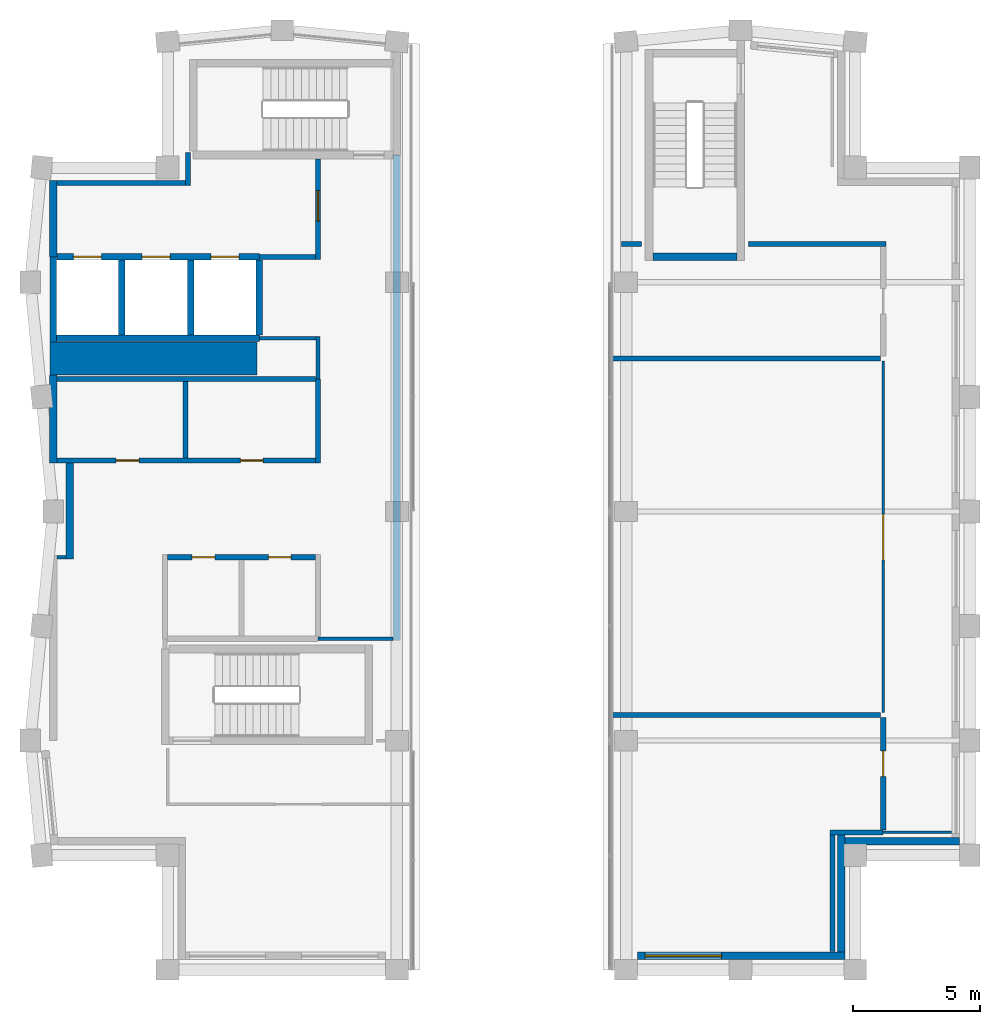
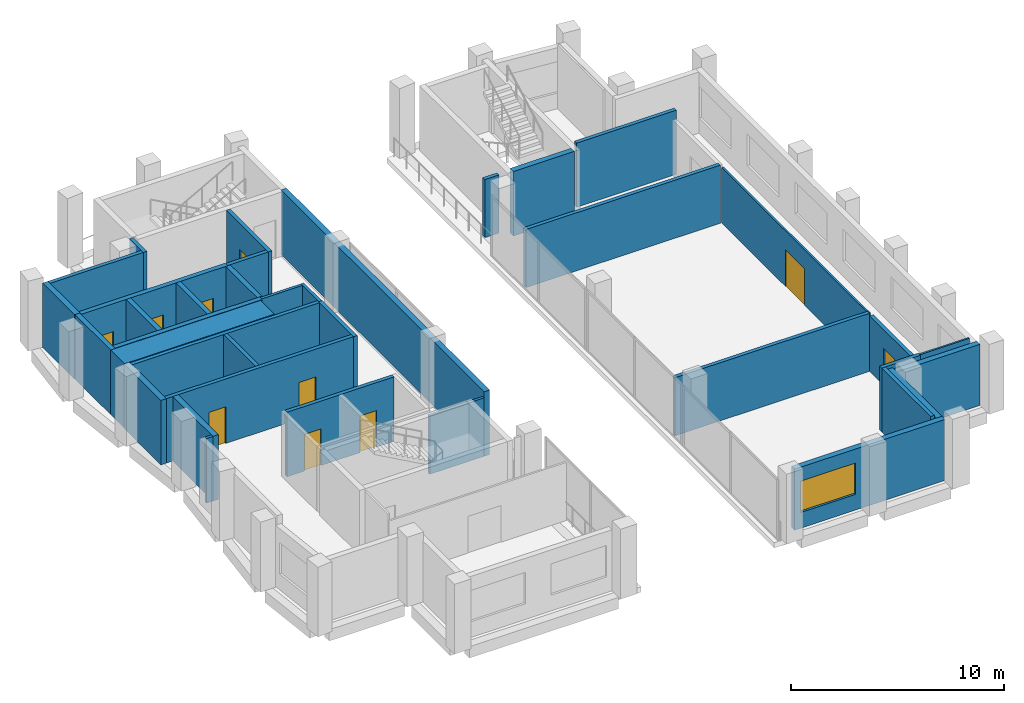
# One storey, part 7 of 9: 37 walls, 10 doors, 1 window, 11 openings.
"""IFC4 building model written with IfcOpenShell, lengths in metres."""

from ifc_helpers import new_model, si_unit, direction, frame, frame_2d, origin, place, context, subcontext, project, spatial, rectangle, extrude, material, layer, layer_set, type_object, element, fill, save


model = new_model("IFC4")

# Units and contexts
model_context = context("Model", 3, precision=1e-05, world=origin(), true_north=direction((0.0, 1.0)))
body_context = subcontext(model_context, "Body", "Model", "MODEL_VIEW")
ifc_project = project(units=[si_unit("LENGTHUNIT", "METRE"), si_unit("AREAUNIT", "SQUARE_METRE"), si_unit("VOLUMEUNIT", "CUBIC_METRE"), si_unit("PLANEANGLEUNIT", "RADIAN"), si_unit("MASSUNIT", "GRAM", prefix="KILO")], contexts=[model_context])

# Site, building, storey
site_placement = place(None, origin())
site = spatial("IfcSite", under=ifc_project, at=site_placement, CompositionType="ELEMENT")
building_placement = place(site_placement, origin())
building = spatial("IfcBuilding", under=site, at=building_placement, Name="Brondeck Convention Tower", CompositionType="ELEMENT")
storey_placement = place(building_placement, frame((0.0, 0.0, 286.800048828125)))
storey = spatial("IfcBuildingStorey", under=building, at=storey_placement, Name="L71", CompositionType="ELEMENT", Elevation=286.800048828125)

# Walls
ifc_material_1 = material(Name="Concrete C50/60", Category="concrete")
ifc_layer_1 = layer(ifc_material_1, 0.300048828125)
ifc_layer_set_1 = layer_set([ifc_layer_1], Name="Core outer wall 300 Concrete C50/60")
wall_type_1 = type_object("IfcWallType", Name="Core outer wall 300 Concrete C50/60", PredefinedType="SHEAR", material=ifc_layer_set_1)
wall_1_placement = place(storey_placement, frame((0.0, 46.89990234375, 0.0), z_axis=(0.0, 0.0, 1.0), x_axis=(0.0, 1.0, 0.0)))
element("IfcWall", 1, at=wall_1_placement, inside=storey, type_object=wall_type_1, Name="L71 core wall", PredefinedType="SHEAR", context=body_context, shape_type="SweptSolid", body=[
    extrude(rectangle(XDim=3.4501953125, YDim=0.300048828125, at=frame_2d((1.72509765625, 0.0))), origin(), (0.0, 0.0, 1.0), 3.699951171875),
])
wall_2_placement = place(storey_placement, frame((0.0, 55.0, 0.0), z_axis=(0.0, 0.0, 1.0), x_axis=(0.0, 1.0, 0.0)))
element("IfcWall", 2, at=wall_2_placement, inside=storey, type_object=wall_type_1, Name="L71 core wall", PredefinedType="SHEAR", context=body_context, shape_type="SweptSolid", body=[
    extrude(rectangle(XDim=3.0, YDim=0.300048828125, at=frame_2d((1.5, 0.0))), origin(), (0.0, 0.0, 1.0), 3.699951171875),
])
wall_3_placement = place(storey_placement, frame((0.64990234375, 43.125, 0.0), z_axis=(0.0, 0.0, 1.0), x_axis=(0.0, 1.0, 0.0)))
element("IfcWall", 3, at=wall_3_placement, inside=storey, type_object=wall_type_1, Name="L71 core wall", PredefinedType="SHEAR", context=body_context, shape_type="SweptSolid", body=[
    extrude(rectangle(XDim=3.77490234375, YDim=0.300048828125, at=frame_2d((1.887451171875, 0.0))), origin(), (0.0, 0.0, 1.0), 3.699951171875),
])
wall_4_placement = place(storey_placement, frame((13.5, 39.925048828125, 0.0), z_axis=(0.0, 0.0, 1.0), x_axis=(0.0, 1.0, 0.0)))
element("IfcWall", 4, at=wall_4_placement, inside=storey, type_object=wall_type_1, Name="L71 core wall", PredefinedType="SHEAR", context=body_context, shape_type="SweptSolid", body=[
    extrude(rectangle(XDim=19.074951171875, YDim=0.300048828125, at=frame_2d((9.53759765625, 0.0))), origin(), (0.0, 0.0, 1.0), 3.699951171875),
])
ifc_material_2 = material(Name="Fire-rated gypsum board partition")
ifc_layer_2 = layer(ifc_material_2, 0.14990234375)
ifc_layer_set_2 = layer_set([ifc_layer_2], Name="Core partition 150 EI 60")
wall_type_2 = type_object("IfcWallType", Name="Core partition 150 EI 60", PredefinedType="PARTITIONING", material=ifc_layer_set_2)
wall_5_placement = place(storey_placement, frame((10.39990234375, 40.0, 0.0), z_axis=(0.0, 0.0, 1.0), x_axis=(1.0, 0.0, 0.0)))
element("IfcWall", 5, at=wall_5_placement, inside=storey, type_object=wall_type_2, Name="L71 core wall", PredefinedType="PARTITIONING", context=body_context, shape_type="SweptSolid", body=[
    extrude(rectangle(XDim=2.9501953125, YDim=0.14990234375, at=frame_2d((1.47509765625, 0.0))), origin(), (0.0, 0.0, 1.0), 3.349853515625),
])
wall_6_placement = place(storey_placement, frame((0.14990234375, 43.199951171875, 0.0), z_axis=(0.0, 0.0, 1.0), x_axis=(1.0, 0.0, 0.0)))
element("IfcWall", 6, at=wall_6_placement, inside=storey, type_object=wall_type_2, Name="L71 core wall", PredefinedType="PARTITIONING", context=body_context, shape_type="SweptSolid", body=[
    extrude(rectangle(XDim=0.35009765625, YDim=0.14990234375, at=frame_2d((0.175048828125, 0.0))), origin(), (0.0, 0.0, 1.0), 3.699951171875),
])
wall_7_placement = place(storey_placement, frame((8.10009765625, 51.800048828125, 0.0), z_axis=(0.0, 0.0, 1.0), x_axis=(1.0, 0.0, 0.0)))
element("IfcWall", 7, at=wall_7_placement, inside=storey, type_object=wall_type_2, Name="L71 core wall", PredefinedType="PARTITIONING", context=body_context, shape_type="SweptSolid", body=[
    extrude(rectangle(XDim=2.224853515625, YDim=0.14990234375, at=frame_2d((1.1123046875, 0.0))), origin(), (0.0, 0.0, 1.0), 3.699951171875),
])
wall_8_placement = place(storey_placement, frame((10.39990234375, 50.199951171875, 0.0), z_axis=(0.0, 0.0, 1.0), x_axis=(0.0, 1.0, 0.0)))
element("IfcWall", 8, at=wall_8_placement, inside=storey, type_object=wall_type_2, Name="L71 core wall", PredefinedType="PARTITIONING", context=body_context, shape_type="SweptSolid", body=[
    extrude(rectangle(XDim=1.675048828125, YDim=0.14990234375, at=frame_2d((0.83740234375, 0.0))), origin(), (0.0, 0.0, 1.0), 3.699951171875),
])
ifc_layer_3 = layer(ifc_material_1, 1.300048828125)
ifc_layer_set_3 = layer_set([ifc_layer_3], Name="Core shear wall 1300 Concrete C50/60")
wall_type_3 = type_object("IfcWallType", Name="Core shear wall 1300 Concrete C50/60", PredefinedType="SHEAR", material=ifc_layer_set_3)
wall_9_placement = place(storey_placement, frame((-0.125, 51.0, 0.0), z_axis=(0.0, 0.0, 1.0), x_axis=(1.0, 0.0, 0.0)))
element("IfcWall", 9, at=wall_9_placement, inside=storey, type_object=wall_type_3, Name="L71 core wall", PredefinedType="SHEAR", context=body_context, shape_type="SweptSolid", body=[
    extrude(rectangle(XDim=8.125, YDim=1.300048828125, at=frame_2d((4.0625, 0.0))), origin(), (0.0, 0.0, 1.0), 3.699951171875),
])

# Wall, opening, window
ifc_material_3 = material(Name="Precast concrete C50/60 bronze finish", Category="concrete")
ifc_layer_4 = layer(ifc_material_3, 0.070068359375, Name="Bronze precast facing")
ifc_material_4 = material(Name="Mineral wool")
ifc_layer_5 = layer(ifc_material_4, 0.159912109375, Name="Insulation")
ifc_material_5 = material(Name="Concrete C35/45", Category="concrete")
ifc_layer_6 = layer(ifc_material_5, 0.070068359375, Name="Backing")
ifc_layer_set_4 = layer_set([ifc_layer_4, ifc_layer_5, ifc_layer_6], Name="External infill wall, precast concrete C50/60 bronze facing")
wall_type_4 = type_object("IfcWallType", Name="External infill wall, precast concrete C50/60 bronze facing", PredefinedType="SOLIDWALL", material=ifc_layer_set_4)
wall_10_placement = place(storey_placement, frame((31.10009765625, 27.550048828125, 0.0), z_axis=(0.0, 0.0, 1.0), x_axis=(-1.0, 0.0, 0.0)))
wall_10 = element("IfcWall", 10, at=wall_10_placement, inside=storey, type_object=wall_type_4, Name="ENV-EW-L71-K2-K-S-00", PredefinedType="SOLIDWALL", context=body_context, shape_type="SweptSolid", body=[
    extrude(rectangle(XDim=8.150146484375, YDim=0.300048828125, at=frame_2d((4.0751953125, 0.0))), origin(), (0.0, 0.0, 1.0), 3.5),
])
opening_1_placement = place(wall_10_placement, frame((4.85009765625, 0.0, 0.89990234375)))
opening_1 = element("IfcOpeningElement", 11, at=opening_1_placement, cuts=wall_10, Name="Opening W8", PredefinedType="OPENING", context=body_context, shape_type="SweptSolid", body=[
    extrude(rectangle(XDim=3.0, YDim=1.800048828125, at=frame_2d((1.5, 0.89990234375))), frame((0.0, 0.159912109375, 0.0), z_axis=(0.0, -1.0, 0.0), x_axis=(1.0, 0.0, 0.0)), (0.0, 0.0, 1.0), 0.320068359375),
])
ifc_material_6 = material(Name="Bronze tinted double glazing", Category="glass")
window_type = type_object("IfcWindowType", Name="Crown plant storey window, bronze tinted", PartitioningType="SINGLE_PANEL", PredefinedType="WINDOW", material=ifc_material_6)
window_placement = place(opening_1_placement, origin())
window = element("IfcWindow", 12, at=window_placement, inside=storey, type_object=window_type, Name="ENV-WN-L71-K2-K-S-00", OverallHeight=1.800048828125, OverallWidth=3.0, PartitioningType="SINGLE_PANEL", PredefinedType="WINDOW", context=body_context, shape_type="SweptSolid", body=[
    extrude(rectangle(XDim=3.0, YDim=1.800048828125, at=frame_2d((1.5, 0.89990234375))), frame((0.0, 0.030029296875, 0.0), z_axis=(0.0, -1.0, 0.0), x_axis=(1.0, 0.0, 0.0)), (0.0, 0.0, 1.0), 0.06005859375),
])
fill(opening_1, window)

# Walls
wall_11_placement = place(storey_placement, frame((30.949951171875, 32.300048828125, 0.0), z_axis=(0.0, 0.0, 1.0), x_axis=(0.0, -1.0, 0.0)))
element("IfcWall", 13, at=wall_11_placement, inside=storey, type_object=wall_type_4, Name="ENV-EW-L71-K2-NC-KSE-01", PredefinedType="SOLIDWALL", context=body_context, shape_type="SweptSolid", body=[
    extrude(rectangle(XDim=4.60009765625, YDim=0.300048828125, at=frame_2d((2.300048828125, 0.0))), origin(), (0.0, 0.0, 1.0), 3.5),
])
wall_12_placement = place(storey_placement, frame((35.60009765625, 32.050048828125, 0.0), z_axis=(0.0, 0.0, 1.0), x_axis=(-1.0, 0.0, 0.0)))
element("IfcWall", 14, at=wall_12_placement, inside=storey, type_object=wall_type_4, Name="ENV-EW-L71-K2-NC-KSE-02", PredefinedType="SOLIDWALL", context=body_context, shape_type="SweptSolid", body=[
    extrude(rectangle(XDim=4.5, YDim=0.300048828125, at=frame_2d((2.25, 0.0))), origin(), (0.0, 0.0, 1.0), 3.5),
])
ifc_layer_7 = layer(ifc_material_2, 0.199951171875)
ifc_layer_set_5 = layer_set([ifc_layer_7], Name="Firefighting lobby wall 200 EI 120")
wall_type_5 = type_object("IfcWallType", Name="Firefighting lobby wall 200 EI 120", PredefinedType="PARTITIONING", material=ifc_layer_set_5)
wall_13_placement = place(storey_placement, frame((8.10009765625, 55.0, 0.0), z_axis=(0.0, 0.0, 1.0), x_axis=(1.0, 0.0, 0.0)))
element("IfcWall", 15, at=wall_13_placement, inside=storey, type_object=wall_type_5, Name="L71 core wall", PredefinedType="PARTITIONING", context=body_context, shape_type="SweptSolid", body=[
    extrude(rectangle(XDim=2.199951171875, YDim=0.199951171875, at=frame_2d((1.10009765625, 0.0))), origin(), (0.0, 0.0, 1.0), 3.699951171875),
])
wall_14_placement = place(storey_placement, frame((0.14990234375, 57.89990234375, 0.0), z_axis=(0.0, 0.0, 1.0), x_axis=(1.0, 0.0, 0.0)))
element("IfcWall", 16, at=wall_14_placement, inside=storey, type_object=wall_type_5, Name="L71 core wall", PredefinedType="PARTITIONING", context=body_context, shape_type="SweptSolid", body=[
    extrude(rectangle(XDim=5.050048828125, YDim=0.199951171875, at=frame_2d((2.52490234375, 0.0))), origin(), (0.0, 0.0, 1.0), 3.699951171875),
])
wall_15_placement = place(storey_placement, frame((5.300048828125, 57.800048828125, 0.0), z_axis=(0.0, 0.0, 1.0), x_axis=(0.0, 1.0, 0.0)))
element("IfcWall", 17, at=wall_15_placement, inside=storey, type_object=wall_type_5, Name="L71 core wall", PredefinedType="PARTITIONING", context=body_context, shape_type="SweptSolid", body=[
    extrude(rectangle(XDim=1.300048828125, YDim=0.199951171875, at=frame_2d((0.64990234375, 0.0))), origin(), (0.0, 0.0, 1.0), 3.699951171875),
])

# Wall, opening, door
wall_16_placement = place(storey_placement, frame((10.39990234375, 54.89990234375, 0.0), z_axis=(0.0, 0.0, 1.0), x_axis=(0.0, 1.0, 0.0)))
wall_16 = element("IfcWall", 18, at=wall_16_placement, inside=storey, type_object=wall_type_5, Name="L71 core wall", PredefinedType="PARTITIONING", context=body_context, shape_type="SweptSolid", body=[
    extrude(rectangle(XDim=3.9501953125, YDim=0.199951171875, at=frame_2d((1.97509765625, 0.0))), origin(), (0.0, 0.0, 1.0), 3.699951171875),
])
opening_2_placement = place(wall_16_placement, frame((1.5, 0.0, 0.0)))
opening_2 = element("IfcOpeningElement", 19, at=opening_2_placement, cuts=wall_16, Name="Opening C41-01", PredefinedType="OPENING", context=body_context, shape_type="SweptSolid", body=[
    extrude(rectangle(XDim=1.199951171875, YDim=2.199951171875, at=frame_2d((0.60009765625, 1.10009765625))), frame((0.0, 0.10986328125, 0.0), z_axis=(0.0, -1.0, 0.0), x_axis=(1.0, 0.0, 0.0)), (0.0, 0.0, 1.0), 0.219970703125),
])
ifc_material_7 = material(Name="Steel fire door", Category="steel")
door_type_1 = type_object("IfcDoorType", Name="Firefighting lobby door 1200x2200 EI 120", OperationType="NOTDEFINED", PredefinedType="DOOR", material=ifc_material_7)
door_1_placement = place(opening_2_placement, origin())
door_1 = element("IfcDoor", 20, at=door_1_placement, inside=storey, type_object=door_type_1, Name="L71 Firefighting lobby door FFL-1", OperationType="SINGLE_SWING_RIGHT", OverallHeight=2.199951171875, OverallWidth=1.199951171875, PredefinedType="DOOR", context=body_context, shape_type="SweptSolid", body=[
    extrude(rectangle(XDim=1.199951171875, YDim=2.199951171875, at=frame_2d((0.60009765625, 1.10009765625))), frame((0.0, 0.02490234375, 0.0), z_axis=(0.0, -1.0, 0.0), x_axis=(1.0, 0.0, 0.0)), (0.0, 0.0, 1.0), 0.050048828125),
])
fill(opening_2, door_1)

# Wall
ifc_layer_8 = layer(ifc_material_1, 0.25)
ifc_layer_set_6 = layer_set([ifc_layer_8], Name="Lift shaft wall 250 Concrete C50/60")
wall_type_6 = type_object("IfcWallType", Name="Lift shaft wall 250 Concrete C50/60", PredefinedType="SHEAR", material=ifc_layer_set_6)
wall_17_placement = place(storey_placement, frame((0.125, 51.800048828125, 0.0), z_axis=(0.0, 0.0, 1.0), x_axis=(1.0, 0.0, 0.0)))
element("IfcWall", 21, at=wall_17_placement, inside=storey, type_object=wall_type_6, Name="L71 core wall", PredefinedType="SHEAR", context=body_context, shape_type="SweptSolid", body=[
    extrude(rectangle(XDim=7.97509765625, YDim=0.25, at=frame_2d((3.987548828125, 0.0))), origin(), (0.0, 0.0, 1.0), 3.699951171875),
])

# Wall, openings, doors
wall_18_placement = place(storey_placement, frame((0.14990234375, 55.0, 0.0), z_axis=(0.0, 0.0, 1.0), x_axis=(1.0, 0.0, 0.0)))
wall_18 = element("IfcWall", 22, at=wall_18_placement, inside=storey, type_object=wall_type_6, Name="L71 core wall", PredefinedType="SHEAR", context=body_context, shape_type="SweptSolid", body=[
    extrude(rectangle(XDim=7.9501953125, YDim=0.25, at=frame_2d((3.97509765625, 0.0))), origin(), (0.0, 0.0, 1.0), 3.699951171875),
])
opening_3_placement = place(wall_18_placement, frame((0.64990234375, 0.0, 0.0)))
opening_3 = element("IfcOpeningElement", 23, at=opening_3_placement, cuts=wall_18, Name="Opening C41-09", PredefinedType="OPENING", context=body_context, shape_type="SweptSolid", body=[
    extrude(rectangle(XDim=1.10009765625, YDim=2.10009765625, at=frame_2d((0.550048828125, 1.050048828125))), frame((0.0, 0.135009765625, 0.0), z_axis=(0.0, -1.0, 0.0), x_axis=(1.0, 0.0, 0.0)), (0.0, 0.0, 1.0), 0.27001953125),
])
opening_4_placement = place(wall_18_placement, frame((3.35009765625, 0.0, 0.0)))
opening_4 = element("IfcOpeningElement", 24, at=opening_4_placement, cuts=wall_18, Name="Opening C41-10", PredefinedType="OPENING", context=body_context, shape_type="SweptSolid", body=[
    extrude(rectangle(XDim=1.10009765625, YDim=2.10009765625, at=frame_2d((0.550048828125, 1.050048828125))), frame((0.0, 0.135009765625, 0.0), z_axis=(0.0, -1.0, 0.0), x_axis=(1.0, 0.0, 0.0)), (0.0, 0.0, 1.0), 0.27001953125),
])
opening_5_placement = place(wall_18_placement, frame((6.050048828125, 0.0, 0.0)))
opening_5 = element("IfcOpeningElement", 25, at=opening_5_placement, cuts=wall_18, Name="Opening C41-11", PredefinedType="OPENING", context=body_context, shape_type="SweptSolid", body=[
    extrude(rectangle(XDim=1.10009765625, YDim=2.10009765625, at=frame_2d((0.550048828125, 1.050048828125))), frame((0.0, 0.135009765625, 0.0), z_axis=(0.0, -1.0, 0.0), x_axis=(1.0, 0.0, 0.0)), (0.0, 0.0, 1.0), 0.27001953125),
])
ifc_material_8 = material(Name="Stainless steel lift door", Category="steel")
door_type_2 = type_object("IfcDoorType", Name="Lift landing door 1100x2100 EI 180", OperationType="DOUBLE_DOOR_SLIDING", PredefinedType="DOOR", material=ifc_material_8)
door_2_placement = place(opening_3_placement, origin())
door_2 = element("IfcDoor", 26, at=door_2_placement, inside=storey, type_object=door_type_2, Name="L71 Lift landing door FF1", OperationType="DOUBLE_DOOR_SLIDING", OverallHeight=2.10009765625, OverallWidth=1.10009765625, PredefinedType="DOOR", context=body_context, shape_type="SweptSolid", body=[
    extrude(rectangle(XDim=1.10009765625, YDim=2.10009765625, at=frame_2d((0.550048828125, 1.050048828125))), frame((0.0, 0.02490234375, 0.0), z_axis=(0.0, -1.0, 0.0), x_axis=(1.0, 0.0, 0.0)), (0.0, 0.0, 1.0), 0.050048828125),
])
fill(opening_3, door_2)
door_3_placement = place(opening_4_placement, origin())
door_3 = element("IfcDoor", 27, at=door_3_placement, inside=storey, type_object=door_type_2, Name="L71 Lift landing door FF2", OperationType="DOUBLE_DOOR_SLIDING", OverallHeight=2.10009765625, OverallWidth=1.10009765625, PredefinedType="DOOR", context=body_context, shape_type="SweptSolid", body=[
    extrude(rectangle(XDim=1.10009765625, YDim=2.10009765625, at=frame_2d((0.550048828125, 1.050048828125))), frame((0.0, 0.02490234375, 0.0), z_axis=(0.0, -1.0, 0.0), x_axis=(1.0, 0.0, 0.0)), (0.0, 0.0, 1.0), 0.050048828125),
])
fill(opening_4, door_3)
door_4_placement = place(opening_5_placement, origin())
door_4 = element("IfcDoor", 28, at=door_4_placement, inside=storey, type_object=door_type_2, Name="L71 Lift landing door FF3", OperationType="DOUBLE_DOOR_SLIDING", OverallHeight=2.10009765625, OverallWidth=1.10009765625, PredefinedType="DOOR", context=body_context, shape_type="SweptSolid", body=[
    extrude(rectangle(XDim=1.10009765625, YDim=2.10009765625, at=frame_2d((0.550048828125, 1.050048828125))), frame((0.0, 0.02490234375, 0.0), z_axis=(0.0, -1.0, 0.0), x_axis=(1.0, 0.0, 0.0)), (0.0, 0.0, 1.0), 0.050048828125),
])
fill(opening_5, door_4)

# Walls
wall_19_placement = place(storey_placement, frame((0.0, 51.64990234375, 0.0), z_axis=(0.0, 0.0, 1.0), x_axis=(0.0, 1.0, 0.0)))
element("IfcWall", 29, at=wall_19_placement, inside=storey, type_object=wall_type_6, Name="L71 core wall", PredefinedType="SHEAR", context=body_context, shape_type="SweptSolid", body=[
    extrude(rectangle(XDim=3.35009765625, YDim=0.25, at=frame_2d((1.675048828125, 0.0))), origin(), (0.0, 0.0, 1.0), 3.699951171875),
])
for number, where, z_axis, x_axis, name in (
    (30, (2.699951171875, 51.925048828125, 0.0), (0.0, 0.0, 1.0), (0.0, 1.0, 0.0), "L71 core wall"),
    (31, (5.39990234375, 51.925048828125, 0.0), (0.0, 0.0, 1.0), (0.0, 1.0, 0.0), "L71 core wall"),
    (32, (8.10009765625, 51.925048828125, 0.0), (0.0, 0.0, 1.0), (0.0, 1.0, 0.0), "L71 core wall"),
):
    element("IfcWall", number, at=place(storey_placement, frame(where, z_axis=z_axis, x_axis=x_axis)), inside=storey, type_object=wall_type_6, Name=name, PredefinedType="SHEAR", context=body_context, shape_type="SweptSolid", body=[
        extrude(rectangle(XDim=2.949951171875, YDim=0.25, at=frame_2d((1.47509765625, 0.0))), origin(), (0.0, 0.0, 1.0), 3.699951171875),
    ])
ifc_material_9 = material(Name="Concrete block wall C16/20", Category="concrete")
ifc_layer_9 = layer(ifc_material_9, 0.199951171875)
ifc_layer_set_7 = layer_set([ifc_layer_9], Name="Plant room wall 200")
wall_type_7 = type_object("IfcWallType", Name="Plant room wall 200", PredefinedType="PARTITIONING", material=ifc_layer_set_7)
wall_20_placement = place(storey_placement, frame((30.60009765625, 32.300048828125, 0.0), z_axis=(0.0, 0.0, 1.0), x_axis=(0.0, -1.0, 0.0)))
element("IfcWall", 33, at=wall_20_placement, inside=storey, type_object=wall_type_7, Name="FLR-L71-W001", PredefinedType="PARTITIONING", context=body_context, shape_type="SweptSolid", body=[
    extrude(rectangle(XDim=4.580078125, YDim=0.199951171875, at=frame_2d((2.2900390625, 0.0))), origin(), (0.0, 0.0, 1.0), 3.679931640625),
])
wall_21_placement = place(storey_placement, frame((32.60009765625, 32.39990234375, 0.0), z_axis=(0.0, 0.0, 1.0), x_axis=(-1.0, 0.0, 0.0)))
element("IfcWall", 34, at=wall_21_placement, inside=storey, type_object=wall_type_7, Name="FLR-L71-W002", PredefinedType="PARTITIONING", context=body_context, shape_type="SweptSolid", body=[
    extrude(rectangle(XDim=2.10009765625, YDim=0.199951171875, at=frame_2d((1.050048828125, 0.0))), origin(), (0.0, 0.0, 1.0), 3.679931640625),
])

# Wall, opening, door
wall_22_placement = place(storey_placement, frame((32.60009765625, 32.5, 0.0), z_axis=(0.0, 0.0, 1.0), x_axis=(0.0, 1.0, 0.0)))
wall_22 = element("IfcWall", 35, at=wall_22_placement, inside=storey, type_object=wall_type_7, Name="FLR-L71-W004", PredefinedType="PARTITIONING", context=body_context, shape_type="SweptSolid", body=[
    extrude(rectangle(XDim=4.39990234375, YDim=0.199951171875, at=frame_2d((2.199951171875, 0.0))), origin(), (0.0, 0.0, 1.0), 3.179931640625),
])
opening_6_placement = place(wall_22_placement, frame((2.094482421875, 0.0, 0.0)))
opening_6 = element("IfcOpeningElement", 36, at=opening_6_placement, cuts=wall_22, Name="Opening CR-A2-003", PredefinedType="OPENING", context=body_context, shape_type="SweptSolid", body=[
    extrude(rectangle(XDim=1.0, YDim=2.10009765625, at=frame_2d((0.5, 1.050048828125))), frame((0.0, 0.10986328125, 0.0), z_axis=(0.0, -1.0, 0.0), x_axis=(1.0, 0.0, 0.0)), (0.0, 0.0, 1.0), 0.219970703125),
])
ifc_material_10 = material(Name="Steel fire door leaf", Category="steel")
door_type_3 = type_object("IfcDoorType", Name="Plant room door 1000", OperationType="NOTDEFINED", PredefinedType="DOOR", material=ifc_material_10)
door_5_placement = place(opening_6_placement, origin())
door_5 = element("IfcDoor", 37, at=door_5_placement, inside=storey, type_object=door_type_3, Name="Door CR-A2-003", OperationType="SINGLE_SWING_RIGHT", OverallHeight=2.10009765625, OverallWidth=1.0, PredefinedType="DOOR", context=body_context, shape_type="SweptSolid", body=[
    extrude(rectangle(XDim=1.0, YDim=2.10009765625, at=frame_2d((0.5, 1.050048828125))), frame((0.0, 0.02490234375, 0.0), z_axis=(0.0, -1.0, 0.0), x_axis=(1.0, 0.0, 0.0)), (0.0, 0.0, 1.0), 0.050048828125),
])
fill(opening_6, door_5)

# Walls
for number, where, z_axis, x_axis, name in (
    (38, (32.5, 37.0, 0.0), (0.0, 0.0, 1.0), (-1.0, 0.0, 0.0), "FLR-L71-W008"),
    (39, (21.93994140625, 51.0, 0.0), (0.0, 0.0, 1.0), (1.0, 0.0, 0.0), "FLR-L71-W010"),
):
    element("IfcWall", number, at=place(storey_placement, frame(where, z_axis=z_axis, x_axis=x_axis)), inside=storey, type_object=wall_type_7, Name=name, PredefinedType="PARTITIONING", context=body_context, shape_type="SweptSolid", body=[
        extrude(rectangle(XDim=10.56005859375, YDim=0.199951171875, at=frame_2d((5.280029296875, 0.0))), origin(), (0.0, 0.0, 1.0), 3.329833984375),
    ])
wall_23_placement = place(storey_placement, frame((22.320068359375, 55.5, 0.0), z_axis=(0.0, 0.0, 1.0), x_axis=(1.0, 0.0, 0.0)))
element("IfcWall", 40, at=wall_23_placement, inside=storey, type_object=wall_type_7, Name="FLR-L71-W012", PredefinedType="PARTITIONING", context=body_context, shape_type="SweptSolid", body=[
    extrude(rectangle(XDim=0.780029296875, YDim=0.199951171875, at=frame_2d((0.39013671875, 0.0))), origin(), (0.0, 0.0, 1.0), 3.329833984375),
])
wall_24_placement = place(storey_placement, frame((32.699951171875, 55.5, 0.0), z_axis=(0.0, 0.0, 1.0), x_axis=(-1.0, 0.0, 0.0)))
element("IfcWall", 41, at=wall_24_placement, inside=storey, type_object=wall_type_7, Name="FLR-L71-W013", PredefinedType="PARTITIONING", context=body_context, shape_type="SweptSolid", body=[
    extrude(rectangle(XDim=5.39990234375, YDim=0.199951171875, at=frame_2d((2.699951171875, 0.0))), origin(), (0.0, 0.0, 1.0), 3.679931640625),
])

# Wall, openings, doors
ifc_layer_10 = layer(ifc_material_2, 0.199951171875)
ifc_layer_set_8 = layer_set([ifc_layer_10], Name="Plant room wall 200 EI 120")
wall_type_8 = type_object("IfcWallType", Name="Plant room wall 200 EI 120", PredefinedType="PARTITIONING", material=ifc_layer_set_8)
wall_25_placement = place(storey_placement, frame((4.5, 43.199951171875, 0.0), z_axis=(0.0, 0.0, 1.0), x_axis=(1.0, 0.0, 0.0)))
wall_25 = element("IfcWall", 42, at=wall_25_placement, inside=storey, type_object=wall_type_8, Name="L71 core wall", PredefinedType="PARTITIONING", context=body_context, shape_type="SweptSolid", body=[
    extrude(rectangle(XDim=5.800048828125, YDim=0.199951171875, at=frame_2d((2.89990234375, 0.0))), origin(), (0.0, 0.0, 1.0), 3.699951171875),
])
opening_7_placement = place(wall_25_placement, frame((0.949951171875, 0.0, 0.0)))
opening_7 = element("IfcOpeningElement", 43, at=opening_7_placement, cuts=wall_25, Name="Opening C41-04", PredefinedType="OPENING", context=body_context, shape_type="SweptSolid", body=[
    extrude(rectangle(XDim=0.89990234375, YDim=2.10009765625, at=frame_2d((0.449951171875, 1.050048828125))), frame((0.0, 0.10986328125, 0.0), z_axis=(0.0, -1.0, 0.0), x_axis=(1.0, 0.0, 0.0)), (0.0, 0.0, 1.0), 0.219970703125),
])
opening_8_placement = place(wall_25_placement, frame((3.949951171875, 0.0, 0.0)))
opening_8 = element("IfcOpeningElement", 44, at=opening_8_placement, cuts=wall_25, Name="Opening C41-05", PredefinedType="OPENING", context=body_context, shape_type="SweptSolid", body=[
    extrude(rectangle(XDim=0.89990234375, YDim=2.10009765625, at=frame_2d((0.449951171875, 1.050048828125))), frame((0.0, 0.10986328125, 0.0), z_axis=(0.0, -1.0, 0.0), x_axis=(1.0, 0.0, 0.0)), (0.0, 0.0, 1.0), 0.219970703125),
])
door_type_4 = type_object("IfcDoorType", Name="Room door 900x2100 EI 120", OperationType="NOTDEFINED", PredefinedType="DOOR", material=ifc_material_7)
door_6_placement = place(opening_7_placement, origin())
door_6 = element("IfcDoor", 45, at=door_6_placement, inside=storey, type_object=door_type_4, Name="L71 Room door FZ-S-4.4-1", OperationType="SINGLE_SWING_LEFT", OverallHeight=2.10009765625, OverallWidth=0.89990234375, PredefinedType="DOOR", context=body_context, shape_type="SweptSolid", body=[
    extrude(rectangle(XDim=0.89990234375, YDim=2.10009765625, at=frame_2d((0.449951171875, 1.050048828125))), frame((0.0, 0.02490234375, 0.0), z_axis=(0.0, -1.0, 0.0), x_axis=(1.0, 0.0, 0.0)), (0.0, 0.0, 1.0), 0.050048828125),
])
fill(opening_7, door_6)
door_7_placement = place(opening_8_placement, origin())
door_7 = element("IfcDoor", 46, at=door_7_placement, inside=storey, type_object=door_type_4, Name="L71 Room door FZ-S-4.4-2", OperationType="SINGLE_SWING_RIGHT", OverallHeight=2.10009765625, OverallWidth=0.89990234375, PredefinedType="DOOR", context=body_context, shape_type="SweptSolid", body=[
    extrude(rectangle(XDim=0.89990234375, YDim=2.10009765625, at=frame_2d((0.449951171875, 1.050048828125))), frame((0.0, 0.02490234375, 0.0), z_axis=(0.0, -1.0, 0.0), x_axis=(1.0, 0.0, 0.0)), (0.0, 0.0, 1.0), 0.050048828125),
])
fill(opening_8, door_7)

wall_26_placement = place(storey_placement, frame((0.14990234375, 47.0, 0.0), z_axis=(0.0, 0.0, 1.0), x_axis=(1.0, 0.0, 0.0)))
wall_26 = element("IfcWall", 47, at=wall_26_placement, inside=storey, type_object=wall_type_8, Name="L71 core wall", PredefinedType="PARTITIONING", context=body_context, shape_type="SweptSolid", body=[
    extrude(rectangle(XDim=10.150146484375, YDim=0.199951171875, at=frame_2d((5.0751953125, 0.0))), origin(), (0.0, 0.0, 1.0), 3.699951171875),
])
opening_9_placement = place(wall_26_placement, frame((2.324951171875, 0.0, 0.0)))
opening_9 = element("IfcOpeningElement", 48, at=opening_9_placement, cuts=wall_26, Name="Opening C41-02", PredefinedType="OPENING", context=body_context, shape_type="SweptSolid", body=[
    extrude(rectangle(XDim=0.89990234375, YDim=2.10009765625, at=frame_2d((0.449951171875, 1.050048828125))), frame((0.0, 0.10986328125, 0.0), z_axis=(0.0, -1.0, 0.0), x_axis=(1.0, 0.0, 0.0)), (0.0, 0.0, 1.0), 0.219970703125),
])
opening_10_placement = place(wall_26_placement, frame((7.199951171875, 0.0, 0.0)))
opening_10 = element("IfcOpeningElement", 49, at=opening_10_placement, cuts=wall_26, Name="Opening C41-03", PredefinedType="OPENING", context=body_context, shape_type="SweptSolid", body=[
    extrude(rectangle(XDim=0.89990234375, YDim=2.10009765625, at=frame_2d((0.449951171875, 1.050048828125))), frame((0.0, 0.10986328125, 0.0), z_axis=(0.0, -1.0, 0.0), x_axis=(1.0, 0.0, 0.0)), (0.0, 0.0, 1.0), 0.219970703125),
])
door_8_placement = place(opening_9_placement, origin())
door_8 = element("IfcDoor", 50, at=door_8_placement, inside=storey, type_object=door_type_4, Name="L71 Room door FZ-N-0-1", OperationType="SINGLE_SWING_RIGHT", OverallHeight=2.10009765625, OverallWidth=0.89990234375, PredefinedType="DOOR", context=body_context, shape_type="SweptSolid", body=[
    extrude(rectangle(XDim=0.89990234375, YDim=2.10009765625, at=frame_2d((0.449951171875, 1.050048828125))), frame((0.0, 0.02490234375, 0.0), z_axis=(0.0, -1.0, 0.0), x_axis=(1.0, 0.0, 0.0)), (0.0, 0.0, 1.0), 0.050048828125),
])
fill(opening_9, door_8)
door_9_placement = place(opening_10_placement, origin())
door_9 = element("IfcDoor", 51, at=door_9_placement, inside=storey, type_object=door_type_4, Name="L71 Room door FZ-N-0-2", OperationType="SINGLE_SWING_LEFT", OverallHeight=2.10009765625, OverallWidth=0.89990234375, PredefinedType="DOOR", context=body_context, shape_type="SweptSolid", body=[
    extrude(rectangle(XDim=0.89990234375, YDim=2.10009765625, at=frame_2d((0.449951171875, 1.050048828125))), frame((0.0, 0.02490234375, 0.0), z_axis=(0.0, -1.0, 0.0), x_axis=(1.0, 0.0, 0.0)), (0.0, 0.0, 1.0), 0.050048828125),
])
fill(opening_10, door_9)

# Walls
wall_27_placement = place(storey_placement, frame((0.14990234375, 50.199951171875, 0.0), z_axis=(0.0, 0.0, 1.0), x_axis=(1.0, 0.0, 0.0)))
element("IfcWall", 52, at=wall_27_placement, inside=storey, type_object=wall_type_8, Name="L71 core wall", PredefinedType="PARTITIONING", context=body_context, shape_type="SweptSolid", body=[
    extrude(rectangle(XDim=10.150146484375, YDim=0.199951171875, at=frame_2d((5.0751953125, 0.0))), origin(), (0.0, 0.0, 1.0), 3.699951171875),
])
wall_28_placement = place(storey_placement, frame((5.199951171875, 47.10009765625, 0.0), z_axis=(0.0, 0.0, 1.0), x_axis=(0.0, 1.0, 0.0)))
element("IfcWall", 53, at=wall_28_placement, inside=storey, type_object=wall_type_8, Name="L71 core wall", PredefinedType="PARTITIONING", context=body_context, shape_type="SweptSolid", body=[
    extrude(rectangle(XDim=3.0, YDim=0.199951171875, at=frame_2d((1.5, 0.0))), origin(), (0.0, 0.0, 1.0), 3.699951171875),
])
wall_29_placement = place(storey_placement, frame((10.39990234375, 46.89990234375, 0.0), z_axis=(0.0, 0.0, 1.0), x_axis=(0.0, 1.0, 0.0)))
element("IfcWall", 54, at=wall_29_placement, inside=storey, type_object=wall_type_8, Name="L71 core wall", PredefinedType="PARTITIONING", context=body_context, shape_type="SweptSolid", body=[
    extrude(rectangle(XDim=3.300048828125, YDim=0.199951171875, at=frame_2d((1.64990234375, 0.0))), origin(), (0.0, 0.0, 1.0), 3.699951171875),
])
ifc_material_11 = material(Name="Gypsum board partition on steel studs", Category="steel")
ifc_layer_11 = layer(ifc_material_11, 0.10009765625)
ifc_layer_set_9 = layer_set([ifc_layer_11], Name="Room partition 100")
wall_type_9 = type_object("IfcWallType", Name="Room partition 100", PredefinedType="PARTITIONING", material=ifc_layer_set_9)
wall_30_placement = place(storey_placement, frame((35.280029296875, 32.39990234375, 0.0), z_axis=(0.0, 0.0, 1.0), x_axis=(-1.0, 0.0, 0.0)))
element("IfcWall", 55, at=wall_30_placement, inside=storey, type_object=wall_type_9, Name="FLR-L71-W003", PredefinedType="PARTITIONING", context=body_context, shape_type="SweptSolid", body=[
    extrude(rectangle(XDim=2.679931640625, YDim=0.10009765625, at=frame_2d((1.33984375, 0.0))), origin(), (0.0, 0.0, 1.0), 3.679931640625),
])

# Wall, opening, door
wall_31_placement = place(storey_placement, frame((32.60009765625, 37.10009765625, 0.0), z_axis=(0.0, 0.0, 1.0), x_axis=(0.0, 1.0, 0.0)))
wall_31 = element("IfcWall", 56, at=wall_31_placement, inside=storey, type_object=wall_type_9, Name="FLR-L71-W009", PredefinedType="PARTITIONING", context=body_context, shape_type="SweptSolid", body=[
    extrude(rectangle(XDim=13.7998046875, YDim=0.10009765625, at=frame_2d((6.89990234375, 0.0))), origin(), (0.0, 0.0, 1.0), 3.179931640625),
])
opening_11_placement = place(wall_31_placement, frame((6.0, 0.0, 0.0)))
opening_11 = element("IfcOpeningElement", 57, at=opening_11_placement, cuts=wall_31, Name="Opening CR-A2-002", PredefinedType="OPENING", context=body_context, shape_type="SweptSolid", body=[
    extrude(rectangle(XDim=1.800048828125, YDim=2.10009765625, at=frame_2d((0.89990234375, 1.050048828125))), frame((0.0, 0.06005859375, 0.0), z_axis=(0.0, -1.0, 0.0), x_axis=(1.0, 0.0, 0.0)), (0.0, 0.0, 1.0), 0.1201171875),
])
ifc_material_12 = material(Name="Glazed timber double door", Category="wood")
door_type_5 = type_object("IfcDoorType", Name="Double door 1800", OperationType="DOUBLE_DOOR_SINGLE_SWING", PredefinedType="DOOR", material=ifc_material_12)
door_10_placement = place(opening_11_placement, origin())
door_10 = element("IfcDoor", 58, at=door_10_placement, inside=storey, type_object=door_type_5, Name="Door CR-A2-002", OperationType="DOUBLE_DOOR_SINGLE_SWING", OverallHeight=2.10009765625, OverallWidth=1.800048828125, PredefinedType="DOOR", context=body_context, shape_type="SweptSolid", body=[
    extrude(rectangle(XDim=1.800048828125, YDim=2.10009765625, at=frame_2d((0.89990234375, 1.050048828125))), frame((0.0, 0.02490234375, 0.0), z_axis=(0.0, -1.0, 0.0), x_axis=(1.0, 0.0, 0.0)), (0.0, 0.0, 1.0), 0.050048828125),
])
fill(opening_11, door_10)

# Wall
ifc_layer_12 = layer(ifc_material_1, 0.300048828125)
ifc_layer_set_10 = layer_set([ifc_layer_12], Name="Stair enclosure wall 300 Concrete C50/60")
wall_type_10 = type_object("IfcWallType", Name="Stair enclosure wall 300 Concrete C50/60", PredefinedType="SHEAR", material=ifc_layer_set_10)
wall_32_placement = place(storey_placement, frame((23.550048828125, 55.0, 0.0), z_axis=(0.0, 0.0, 1.0), x_axis=(1.0, 0.0, 0.0)))
element("IfcWall", 59, at=wall_32_placement, inside=storey, type_object=wall_type_10, Name="L71 core wall", PredefinedType="SHEAR", context=body_context, shape_type="SweptSolid", body=[
    extrude(rectangle(XDim=3.300048828125, YDim=0.300048828125, at=frame_2d((1.64990234375, 0.0))), origin(), (0.0, 0.0, 1.0), 3.699951171875),
])

save(model, "model.ifc")
